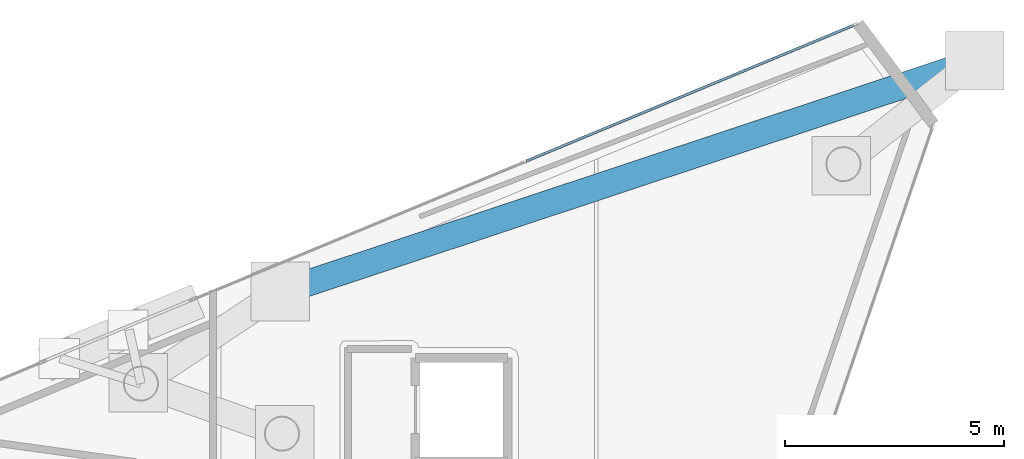
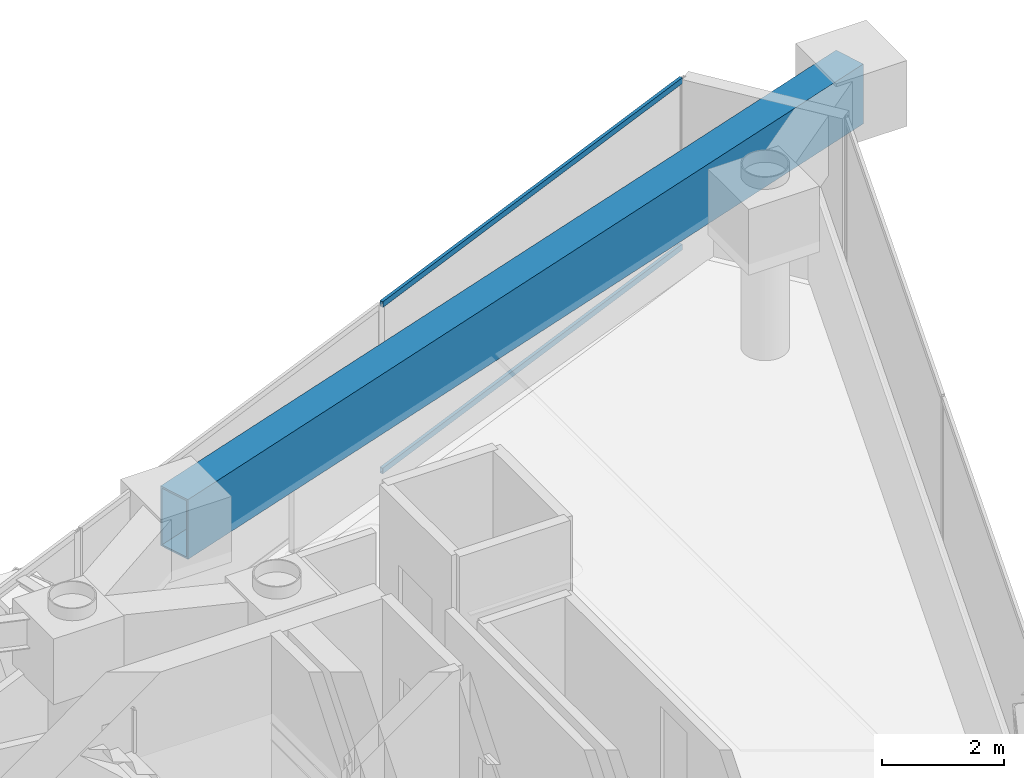
# One storey, part 12 of 18: 2 members, 1 beam, 1 element without a shape of its own.
"""IFC4 building model written with IfcOpenShell, lengths in metres."""

from ifc_helpers import new_model, si_unit, direction, frame, origin, origin_2d, place, context, subcontext, project, spatial, hollow_rectangle, extrude, material, layer, layer_set, material_profile, profile_set, type_object, element, aggregate, save


model = new_model("IFC4")

# Units and contexts
model_context = context("Model", 3, precision=1e-05, world=origin(), true_north=direction((0.0, 1.0)))
body_context = subcontext(model_context, "Body", "Model", "MODEL_VIEW")
ifc_project = project(units=[si_unit("LENGTHUNIT", "METRE"), si_unit("AREAUNIT", "SQUARE_METRE"), si_unit("VOLUMEUNIT", "CUBIC_METRE"), si_unit("PLANEANGLEUNIT", "RADIAN"), si_unit("MASSUNIT", "GRAM", prefix="KILO")], contexts=[model_context])

# Site, building, storey
site_placement = place(None, origin())
site = spatial("IfcSite", under=ifc_project, at=site_placement, CompositionType="ELEMENT")
building_placement = place(site_placement, origin())
building = spatial("IfcBuilding", under=site, at=building_placement, Name="Qianvela Tower", CompositionType="ELEMENT")
storey_placement = place(building_placement, frame((0.0, 0.0, 348.10009765625)))
storey = spatial("IfcBuildingStorey", under=building, at=storey_placement, Name="L90", CompositionType="ELEMENT", Elevation=348.10009765625)

# Beam
ifc_material_1 = material(Name="Steel Q420GJC", Category="steel")
ifc_material_profile_1 = material_profile(ifc_material_1, hollow_rectangle(XDim=0.60009765625, YDim=1.199951171875, WallThickness=0.034912109375, at=origin_2d()), Name="TG-BOX-1200x600x35")
ifc_profile_set_1 = profile_set([ifc_material_profile_1], Name="Steel Q420GJC")
beam_type = type_object("IfcBeamType", Name="BM-TG-STEP-1200", PredefinedType="BEAM", material=ifc_profile_set_1)
beam_placement = place(storey_placement, frame((54.173828125, 42.027099609375, 2.7978515625), z_axis=(-0.949116112224, -0.314926349353, 0.0), x_axis=(0.314926349353, -0.949116112224, 0.0)))
element("IfcBeam", 1, at=beam_placement, inside=storey, type_object=beam_type, Name="L90 Sky-Lounge Cantilever Tip Tie Girder", PredefinedType="BEAM", context=body_context, shape_type="SweptSolid", body=[
    extrude(hollow_rectangle(XDim=0.60009765625, YDim=1.199951171875, WallThickness=0.034912109375, at=origin_2d()), origin(), (0.0, 0.0, 1.0), 16.71875),
])

# Curtain wall, members
ifc_material_2 = material(Name="Anodised Architectural Aluminium and Low-E Glass", Category="aluminium")
ifc_layer = layer(ifc_material_2, 0.14990234375)
ifc_layer_set = layer_set([ifc_layer], Name="Anodised Architectural Aluminium and Low-E Glass")
curtain_wall_type = type_object("IfcCurtainWallType", Name="CW-COLIV-Z78", PredefinedType="USERDEFINED", material=ifc_layer_set)
curtain_wall_placement = place(storey_placement, origin())
curtain_wall = element("IfcCurtainWall", 2, at=curtain_wall_placement, inside=storey, type_object=curtain_wall_type, Name="L90 CW-COLIV-Z78 Curtain Wall 02A", ObjectType="CURTAIN_WALL_SYSTEM", PredefinedType="USERDEFINED")
ifc_material_3 = material(Name="Anodised Architectural Aluminium 6063-T6", Category="aluminium")
ifc_material_profile_2 = material_profile(ifc_material_3, hollow_rectangle(XDim=0.06005859375, YDim=0.114990234375, WallThickness=0.00390625, at=origin_2d()), Name="ALU-TRAN-60x115")
ifc_profile_set_2 = profile_set([ifc_material_profile_2], Name="Anodised Architectural Aluminium 6063-T6")
member_type = type_object("IfcMemberType", Name="CW-COLIV-Z78-TRAN", PredefinedType="USERDEFINED", material=ifc_profile_set_2)
member_1_placement = place(storey_placement, frame((51.4619140625, 42.881103515625, 0.02978515625), z_axis=(-0.923698150728, -0.383121033541, 0.0), x_axis=(0.383121033541, -0.923698150728, 0.0)))
member_1 = element("IfcMember", 3, at=member_1_placement, type_object=member_type, Name="CW-6 transom 1.1", ObjectType="TRANSOM", PredefinedType="USERDEFINED", context=body_context, shape_type="SweptSolid", body=[
    extrude(hollow_rectangle(XDim=0.06005859375, YDim=0.114990234375, WallThickness=0.00390625, at=origin_2d()), origin(), (0.0, 0.0, 1.0), 8.10009765625),
])
member_2_placement = place(storey_placement, frame((51.4619140625, 42.881103515625, 3.369873046875), z_axis=(-0.923698150728, -0.383121033541, 0.0), x_axis=(0.383121033541, -0.923698150728, 0.0)))
member_2 = element("IfcMember", 4, at=member_2_placement, type_object=member_type, Name="CW-6 transom 1.2", ObjectType="TRANSOM", PredefinedType="USERDEFINED", context=body_context, shape_type="SweptSolid", body=[
    extrude(hollow_rectangle(XDim=0.06005859375, YDim=0.114990234375, WallThickness=0.00390625, at=origin_2d()), origin(), (0.0, 0.0, 1.0), 8.10009765625),
])
aggregate(curtain_wall, [member_1, member_2])

save(model, "model.ifc")
